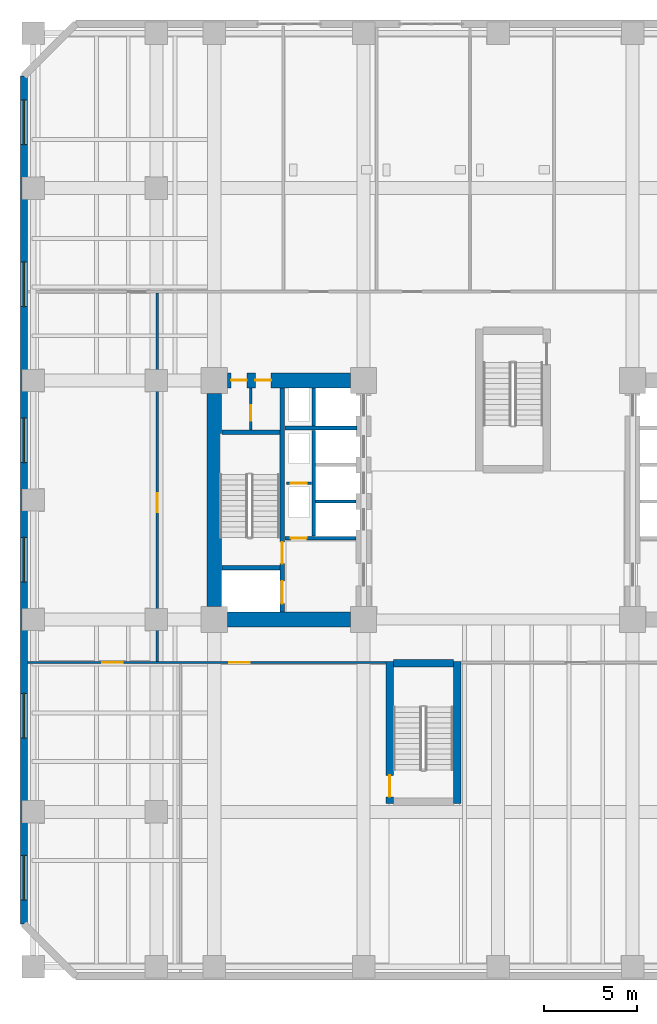
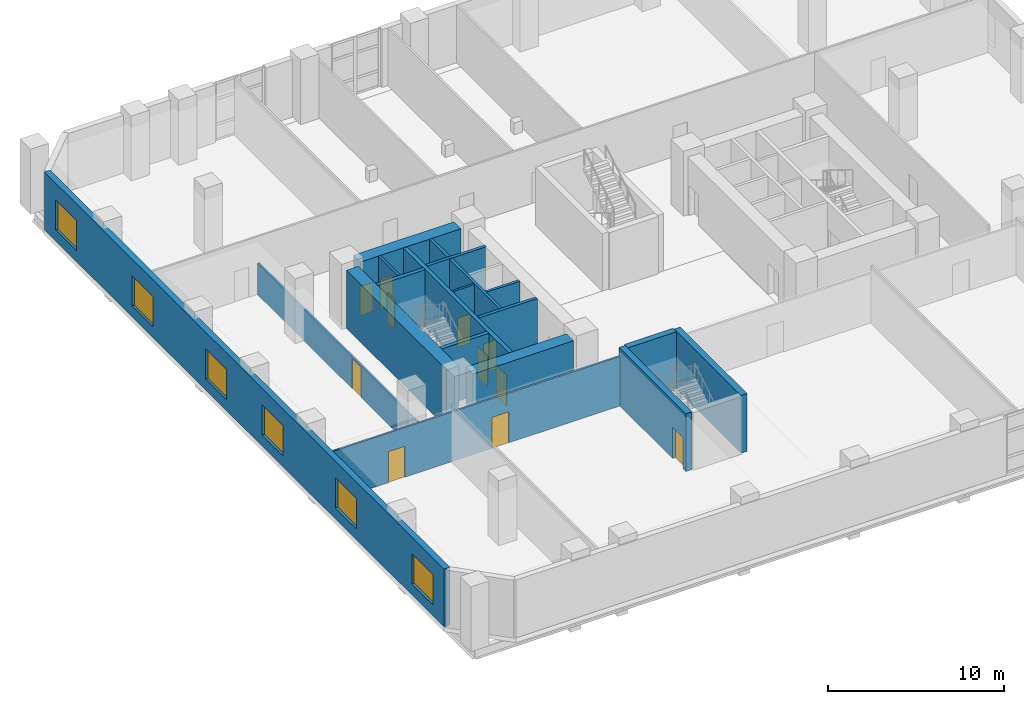
# One storey, part 6 of 15: 19 walls, 11 doors, 6 windows, 17 openings.
"""IFC4 building model written with IfcOpenShell, lengths in metres."""

from ifc_helpers import new_model, si_unit, direction, frame, frame_2d, origin, place, context, subcontext, project, spatial, rectangle, extrude, material, layer, layer_set, type_object, element, fill, save


model = new_model("IFC4")

# Units and contexts
model_context = context("Model", 3, precision=1e-05, world=origin(), true_north=direction((0.0, 1.0)))
body_context = subcontext(model_context, "Body", "Model", "MODEL_VIEW")
ifc_project = project(units=[si_unit("LENGTHUNIT", "METRE"), si_unit("AREAUNIT", "SQUARE_METRE"), si_unit("VOLUMEUNIT", "CUBIC_METRE"), si_unit("PLANEANGLEUNIT", "RADIAN"), si_unit("MASSUNIT", "GRAM", prefix="KILO")], contexts=[model_context])

# Site, building, storey
site_placement = place(None, origin())
site = spatial("IfcSite", under=ifc_project, at=site_placement, CompositionType="ELEMENT")
building_placement = place(site_placement, origin())
building = spatial("IfcBuilding", under=site, at=building_placement, Name="Kranthara Brick Stack", CompositionType="ELEMENT")
storey_placement = place(building_placement, frame((0.0, 0.0, 14.39990234375)))
storey = spatial("IfcBuildingStorey", under=building, at=storey_placement, Name="L03", CompositionType="ELEMENT", Elevation=14.39990234375)

# Wall, openings, windows
ifc_material_1 = material(Name="Kiln-fired clay brick masonry M15", Category="masonry")
ifc_layer_1 = layer(ifc_material_1, 0.3798828125)
ifc_layer_set_1 = layer_set([ifc_layer_1], Name="Kiln-fired clay brick masonry M15")
wall_type_1 = type_object("IfcWallType", Name="WL-BRK-PIER-380", PredefinedType="STANDARD", material=ifc_layer_set_1)
wall_1_placement = place(storey_placement, frame((2.610107421875, 4.5, 0.0), z_axis=(0.0, 0.0, 1.0), x_axis=(0.0, 1.0, 0.0)))
wall_1 = element("IfcWall", 1, at=wall_1_placement, inside=storey, type_object=wall_type_1, Name="L03 Exterior Brick Facade Wall WEST 1", PredefinedType="STANDARD", context=body_context, shape_type="SweptSolid", body=[
    extrude(rectangle(XDim=45.39990234375, YDim=0.3798828125, at=frame_2d((22.699951171875, 0.0))), origin(), (0.0, 0.0, 1.0), 4.0),
])
opening_1_placement = place(wall_1_placement, frame((1.27490234375, 0.0, 0.75)))
opening_1 = element("IfcOpeningElement", 2, at=opening_1_placement, cuts=wall_1, Name="Opening WN11", PredefinedType="OPENING", context=body_context, shape_type="SweptSolid", body=[
    extrude(rectangle(XDim=2.39990234375, YDim=2.10009765625, at=frame_2d((1.199951171875, 1.050048828125))), frame((0.0, 0.199951171875, 0.0), z_axis=(0.0, -1.0, 0.0), x_axis=(1.0, 0.0, 0.0)), (0.0, 0.0, 1.0), 0.39990234375),
])
opening_2_placement = place(wall_1_placement, frame((9.949951171875, 0.0, 0.75)))
opening_2 = element("IfcOpeningElement", 3, at=opening_2_placement, cuts=wall_1, Name="Opening WN11", PredefinedType="OPENING", context=body_context, shape_type="SweptSolid", body=[
    extrude(rectangle(XDim=2.39990234375, YDim=2.10009765625, at=frame_2d((1.199951171875, 1.050048828125))), frame((0.0, 0.199951171875, 0.0), z_axis=(0.0, -1.0, 0.0), x_axis=(1.0, 0.0, 0.0)), (0.0, 0.0, 1.0), 0.39990234375),
])
opening_3_placement = place(wall_1_placement, frame((18.300048828125, 0.0, 0.75)))
opening_3 = element("IfcOpeningElement", 4, at=opening_3_placement, cuts=wall_1, Name="Opening WN11", PredefinedType="OPENING", context=body_context, shape_type="SweptSolid", body=[
    extrude(rectangle(XDim=2.39990234375, YDim=2.10009765625, at=frame_2d((1.199951171875, 1.050048828125))), frame((0.0, 0.199951171875, 0.0), z_axis=(0.0, -1.0, 0.0), x_axis=(1.0, 0.0, 0.0)), (0.0, 0.0, 1.0), 0.39990234375),
])
opening_4_placement = place(wall_1_placement, frame((24.699951171875, 0.0, 0.75)))
opening_4 = element("IfcOpeningElement", 5, at=opening_4_placement, cuts=wall_1, Name="Opening WN11", PredefinedType="OPENING", context=body_context, shape_type="SweptSolid", body=[
    extrude(rectangle(XDim=2.39990234375, YDim=2.10009765625, at=frame_2d((1.199951171875, 1.050048828125))), frame((0.0, 0.199951171875, 0.0), z_axis=(0.0, -1.0, 0.0), x_axis=(1.0, 0.0, 0.0)), (0.0, 0.0, 1.0), 0.39990234375),
])
opening_5_placement = place(wall_1_placement, frame((33.050048828125, 0.0, 0.75)))
opening_5 = element("IfcOpeningElement", 6, at=opening_5_placement, cuts=wall_1, Name="Opening WN11", PredefinedType="OPENING", context=body_context, shape_type="SweptSolid", body=[
    extrude(rectangle(XDim=2.39990234375, YDim=2.10009765625, at=frame_2d((1.199951171875, 1.050048828125))), frame((0.0, 0.199951171875, 0.0), z_axis=(0.0, -1.0, 0.0), x_axis=(1.0, 0.0, 0.0)), (0.0, 0.0, 1.0), 0.39990234375),
])
opening_6_placement = place(wall_1_placement, frame((41.72509765625, 0.0, 0.75)))
opening_6 = element("IfcOpeningElement", 7, at=opening_6_placement, cuts=wall_1, Name="Opening WN11", PredefinedType="OPENING", context=body_context, shape_type="SweptSolid", body=[
    extrude(rectangle(XDim=2.39990234375, YDim=2.10009765625, at=frame_2d((1.199951171875, 1.050048828125))), frame((0.0, 0.199951171875, 0.0), z_axis=(0.0, -1.0, 0.0), x_axis=(1.0, 0.0, 0.0)), (0.0, 0.0, 1.0), 0.39990234375),
])
ifc_material_2 = material(Name="Double-glazed low-E solar control glass", Category="glass")
window_type = type_object("IfcWindowType", Name="WN-POD-2400x2100", PartitioningType="TRIPLE_PANEL_VERTICAL", PredefinedType="WINDOW", material=ifc_material_2)
window_1_placement = place(opening_1_placement, origin())
window_1 = element("IfcWindow", 8, at=window_1_placement, inside=storey, type_object=window_type, Name="L03 WEST Podium Window", OverallHeight=2.10009765625, OverallWidth=2.39990234375, PartitioningType="SINGLE_PANEL", PredefinedType="WINDOW", context=body_context, shape_type="SweptSolid", body=[
    extrude(rectangle(XDim=2.39990234375, YDim=2.10009765625, at=frame_2d((1.199951171875, 1.050048828125))), frame((0.0, 0.030029296875, 0.0), z_axis=(0.0, -1.0, 0.0), x_axis=(1.0, 0.0, 0.0)), (0.0, 0.0, 1.0), 0.06005859375),
])
fill(opening_1, window_1)
window_2_placement = place(opening_2_placement, origin())
window_2 = element("IfcWindow", 9, at=window_2_placement, inside=storey, type_object=window_type, Name="L03 WEST Podium Window", OverallHeight=2.10009765625, OverallWidth=2.39990234375, PartitioningType="SINGLE_PANEL", PredefinedType="WINDOW", context=body_context, shape_type="SweptSolid", body=[
    extrude(rectangle(XDim=2.39990234375, YDim=2.10009765625, at=frame_2d((1.199951171875, 1.050048828125))), frame((0.0, 0.030029296875, 0.0), z_axis=(0.0, -1.0, 0.0), x_axis=(1.0, 0.0, 0.0)), (0.0, 0.0, 1.0), 0.06005859375),
])
fill(opening_2, window_2)
window_3_placement = place(opening_3_placement, origin())
window_3 = element("IfcWindow", 10, at=window_3_placement, inside=storey, type_object=window_type, Name="L03 WEST Podium Window", OverallHeight=2.10009765625, OverallWidth=2.39990234375, PartitioningType="SINGLE_PANEL", PredefinedType="WINDOW", context=body_context, shape_type="SweptSolid", body=[
    extrude(rectangle(XDim=2.39990234375, YDim=2.10009765625, at=frame_2d((1.199951171875, 1.050048828125))), frame((0.0, 0.030029296875, 0.0), z_axis=(0.0, -1.0, 0.0), x_axis=(1.0, 0.0, 0.0)), (0.0, 0.0, 1.0), 0.06005859375),
])
fill(opening_3, window_3)
window_4_placement = place(opening_4_placement, origin())
window_4 = element("IfcWindow", 11, at=window_4_placement, inside=storey, type_object=window_type, Name="L03 WEST Podium Window", OverallHeight=2.10009765625, OverallWidth=2.39990234375, PartitioningType="SINGLE_PANEL", PredefinedType="WINDOW", context=body_context, shape_type="SweptSolid", body=[
    extrude(rectangle(XDim=2.39990234375, YDim=2.10009765625, at=frame_2d((1.199951171875, 1.050048828125))), frame((0.0, 0.030029296875, 0.0), z_axis=(0.0, -1.0, 0.0), x_axis=(1.0, 0.0, 0.0)), (0.0, 0.0, 1.0), 0.06005859375),
])
fill(opening_4, window_4)
window_5_placement = place(opening_5_placement, origin())
window_5 = element("IfcWindow", 12, at=window_5_placement, inside=storey, type_object=window_type, Name="L03 WEST Podium Window", OverallHeight=2.10009765625, OverallWidth=2.39990234375, PartitioningType="SINGLE_PANEL", PredefinedType="WINDOW", context=body_context, shape_type="SweptSolid", body=[
    extrude(rectangle(XDim=2.39990234375, YDim=2.10009765625, at=frame_2d((1.199951171875, 1.050048828125))), frame((0.0, 0.030029296875, 0.0), z_axis=(0.0, -1.0, 0.0), x_axis=(1.0, 0.0, 0.0)), (0.0, 0.0, 1.0), 0.06005859375),
])
fill(opening_5, window_5)
window_6_placement = place(opening_6_placement, origin())
window_6 = element("IfcWindow", 13, at=window_6_placement, inside=storey, type_object=window_type, Name="L03 WEST Podium Window", OverallHeight=2.10009765625, OverallWidth=2.39990234375, PartitioningType="SINGLE_PANEL", PredefinedType="WINDOW", context=body_context, shape_type="SweptSolid", body=[
    extrude(rectangle(XDim=2.39990234375, YDim=2.10009765625, at=frame_2d((1.199951171875, 1.050048828125))), frame((0.0, 0.030029296875, 0.0), z_axis=(0.0, -1.0, 0.0), x_axis=(1.0, 0.0, 0.0)), (0.0, 0.0, 1.0), 0.06005859375),
])
fill(opening_6, window_6)

# Wall, openings, doors
ifc_material_3 = material(Name="Concrete C50/60", Category="concrete")
ifc_layer_2 = layer(ifc_material_3, 0.25)
ifc_layer_set_2 = layer_set([ifc_layer_2], Name="Concrete C50/60")
wall_type_2 = type_object("IfcWallType", Name="WL-CORE-250", PredefinedType="SHEAR", material=ifc_layer_set_2)
wall_2_placement = place(storey_placement, frame((16.43505859375, 21.2099609375, 0.0), z_axis=(0.0, 0.0, 1.0), x_axis=(0.0, 1.0, 0.0)))
wall_2 = element("IfcWall", 14, at=wall_2_placement, inside=storey, type_object=wall_type_2, Name="L03 West Core Stair Bearing Spine Wall", PredefinedType="SHEAR", context=body_context, shape_type="SweptSolid", body=[
    extrude(rectangle(XDim=11.97998046875, YDim=0.25, at=frame_2d((5.989990234375, 0.0))), origin(), (0.0, 0.0, 1.0), 4.0),
])
opening_7_placement = place(wall_2_placement, frame((0.43994140625, 0.0, 0.0)))
opening_7 = element("IfcOpeningElement", 15, at=opening_7_placement, cuts=wall_2, Name="Opening LD01", PredefinedType="OPENING", context=body_context, shape_type="SweptSolid", body=[
    extrude(rectangle(XDim=1.199951171875, YDim=2.14990234375, at=frame_2d((0.60009765625, 1.074951171875))), frame((0.0, 0.135009765625, 0.0), z_axis=(0.0, -1.0, 0.0), x_axis=(1.0, 0.0, 0.0)), (0.0, 0.0, 1.0), 0.27001953125),
])
opening_8_placement = place(wall_2_placement, frame((2.590087890625, 0.0, 0.0)))
opening_8 = element("IfcOpeningElement", 16, at=opening_8_placement, cuts=wall_2, Name="Opening D05", PredefinedType="OPENING", context=body_context, shape_type="SweptSolid", body=[
    extrude(rectangle(XDim=1.14990234375, YDim=2.14990234375, at=frame_2d((0.574951171875, 1.074951171875))), frame((0.0, 0.135009765625, 0.0), z_axis=(0.0, -1.0, 0.0), x_axis=(1.0, 0.0, 0.0)), (0.0, 0.0, 1.0), 0.27001953125),
])
ifc_material_4 = material(Name="Stainless steel sliding landing door", Category="steel")
door_type_1 = type_object("IfcDoorType", Name="DR-LD-FF1200", OperationType="DOUBLE_DOOR_SLIDING", PredefinedType="DOOR", material=ifc_material_4)
door_1_placement = place(opening_7_placement, origin())
door_1 = element("IfcDoor", 17, at=door_1_placement, inside=storey, type_object=door_type_1, Name="L03 Firefighting Lift FF-01 Landing Door", OperationType="DOUBLE_DOOR_SLIDING", OverallHeight=2.14990234375, OverallWidth=1.199951171875, PredefinedType="DOOR", context=body_context, shape_type="SweptSolid", body=[
    extrude(rectangle(XDim=1.199951171875, YDim=2.14990234375, at=frame_2d((0.60009765625, 1.074951171875))), frame((0.0, 0.02490234375, 0.0), z_axis=(0.0, -1.0, 0.0), x_axis=(1.0, 0.0, 0.0)), (0.0, 0.0, 1.0), 0.050048828125),
])
fill(opening_7, door_1)
ifc_material_5 = material(Name="Solid-core hardwood timber leaf in steel frame", Category="steel")
door_type_2 = type_object("IfcDoorType", Name="DR-ST-1150", OperationType="NOTDEFINED", PredefinedType="DOOR", material=ifc_material_5)
door_2_placement = place(opening_8_placement, origin())
door_2 = element("IfcDoor", 18, at=door_2_placement, inside=storey, type_object=door_type_2, Name="L03 Exit Stair ST01 Door", OperationType="SINGLE_SWING_RIGHT", OverallHeight=2.14990234375, OverallWidth=1.14990234375, PredefinedType="DOOR", context=body_context, shape_type="SweptSolid", body=[
    extrude(rectangle(XDim=1.14990234375, YDim=2.14990234375, at=frame_2d((0.574951171875, 1.074951171875))), frame((0.0, 0.02490234375, 0.0), z_axis=(0.0, -1.0, 0.0), x_axis=(1.0, 0.0, 0.0)), (0.0, 0.0, 1.0), 0.050048828125),
])
fill(opening_8, door_2)

# Walls
for number, where, z_axis, x_axis, name in (
    (19, (13.2099609375, 23.570068359375, 0.0), (0.0, 0.0, 1.0), (1.0, 0.0, 0.0), "L03 West Stairwell Bearing Wall WFF"),
    (20, (13.2099609375, 30.830078125, 0.0), (0.0, 0.0, 1.0), (1.0, 0.0, 0.0), "L03 West Stairwell Bearing Wall WST"),
):
    element("IfcWall", number, at=place(storey_placement, frame(where, z_axis=z_axis, x_axis=x_axis)), inside=storey, type_object=wall_type_2, Name=name, PredefinedType="SHEAR", context=body_context, shape_type="SweptSolid", body=[
        extrude(rectangle(XDim=3.10009765625, YDim=0.25, at=frame_2d((1.550048828125, 0.0))), origin(), (0.0, 0.0, 1.0), 4.0),
    ])

# Wall, opening, door
ifc_material_6 = material(Name="Concrete C50/60", Category="concrete")
ifc_layer_3 = layer(ifc_material_6, 0.39990234375)
ifc_layer_set_3 = layer_set([ifc_layer_3], Name="Concrete C50/60")
wall_type_3 = type_object("IfcWallType", Name="WL-CORE-400", PredefinedType="SHEAR", material=ifc_layer_set_3)
wall_3_placement = place(storey_placement, frame((22.18994140625, 10.949951171875, 0.0), z_axis=(0.0, 0.0, 1.0), x_axis=(0.0, 1.0, 0.0)))
wall_3 = element("IfcWall", 21, at=wall_3_placement, inside=storey, type_object=wall_type_3, Name="L03 Stair ST03 Bearing Wall W", PredefinedType="SHEAR", context=body_context, shape_type="SweptSolid", body=[
    extrude(rectangle(XDim=7.60009765625, YDim=0.39990234375, at=frame_2d((3.800048828125, 0.0))), origin(), (0.0, 0.0, 1.0), 4.0),
])
opening_9_placement = place(wall_3_placement, frame((0.35009765625, 0.0, 0.0)))
opening_9 = element("IfcOpeningElement", 22, at=opening_9_placement, cuts=wall_3, Name="Opening D05", PredefinedType="OPENING", context=body_context, shape_type="SweptSolid", body=[
    extrude(rectangle(XDim=1.14990234375, YDim=2.14990234375, at=frame_2d((0.574951171875, 1.074951171875))), frame((0.0, 0.2099609375, 0.0), z_axis=(0.0, -1.0, 0.0), x_axis=(1.0, 0.0, 0.0)), (0.0, 0.0, 1.0), 0.419921875),
])
door_3_placement = place(opening_9_placement, origin())
door_3 = element("IfcDoor", 23, at=door_3_placement, inside=storey, type_object=door_type_2, Name="L03 Stair ST03 Door", OperationType="SINGLE_SWING_LEFT", OverallHeight=2.14990234375, OverallWidth=1.14990234375, PredefinedType="DOOR", context=body_context, shape_type="SweptSolid", body=[
    extrude(rectangle(XDim=1.14990234375, YDim=2.14990234375, at=frame_2d((0.574951171875, 1.074951171875))), frame((0.0, 0.02490234375, 0.0), z_axis=(0.0, -1.0, 0.0), x_axis=(1.0, 0.0, 0.0)), (0.0, 0.0, 1.0), 0.050048828125),
])
fill(opening_9, door_3)

# Walls
wall_4_placement = place(storey_placement, frame((25.81005859375, 10.949951171875, 0.0), z_axis=(0.0, 0.0, 1.0), x_axis=(0.0, 1.0, 0.0)))
element("IfcWall", 24, at=wall_4_placement, inside=storey, type_object=wall_type_3, Name="L03 Stair ST03 Bearing Wall E", PredefinedType="SHEAR", context=body_context, shape_type="SweptSolid", body=[
    extrude(rectangle(XDim=7.60009765625, YDim=0.39990234375, at=frame_2d((3.800048828125, 0.0))), origin(), (0.0, 0.0, 1.0), 4.0),
])
wall_5_placement = place(storey_placement, frame((22.39990234375, 18.449951171875, 0.0), z_axis=(0.0, 0.0, 1.0), x_axis=(1.0, 0.0, 0.0)))
element("IfcWall", 25, at=wall_5_placement, inside=storey, type_object=wall_type_3, Name="L03 Stair ST03 Bearing Wall N", PredefinedType="SHEAR", context=body_context, shape_type="SweptSolid", body=[
    extrude(rectangle(XDim=3.2001953125, YDim=0.39990234375, at=frame_2d((1.60009765625, 0.0))), origin(), (0.0, 0.0, 1.0), 4.0),
])
ifc_material_7 = material(Name="Concrete C70/85", Category="concrete")
ifc_layer_4 = layer(ifc_material_7, 0.800048828125)
ifc_layer_set_4 = layer_set([ifc_layer_4], Name="Concrete C70/85")
wall_type_4 = type_object("IfcWallType", Name="WL-CORE-800", PredefinedType="SHEAR", material=ifc_layer_set_4)
wall_6_placement = place(storey_placement, frame((12.800048828125, 21.5048828125, 0.0), z_axis=(0.0, 0.0, 1.0), x_axis=(0.0, 1.0, 0.0)))
element("IfcWall", 26, at=wall_6_placement, inside=storey, type_object=wall_type_4, Name="L03 West Core Shear Wall West", PredefinedType="SHEAR", context=body_context, shape_type="SweptSolid", body=[
    extrude(rectangle(XDim=11.39013671875, YDim=0.800048828125, at=frame_2d((5.695068359375, 0.0))), origin(), (0.0, 0.0, 1.0), 4.0),
])
wall_7_placement = place(storey_placement, frame((13.5048828125, 20.800048828125, 0.0), z_axis=(0.0, 0.0, 1.0), x_axis=(1.0, 0.0, 0.0)))
element("IfcWall", 27, at=wall_7_placement, inside=storey, type_object=wall_type_4, Name="L03 West Core Shear Wall South", PredefinedType="SHEAR", context=body_context, shape_type="SweptSolid", body=[
    extrude(rectangle(XDim=6.590087890625, YDim=0.800048828125, at=frame_2d((3.294921875, 0.0))), origin(), (0.0, 0.0, 1.0), 4.0),
])

# Wall, openings, doors
wall_8_placement = place(storey_placement, frame((13.5048828125, 33.60009765625, 0.0), z_axis=(0.0, 0.0, 1.0), x_axis=(1.0, 0.0, 0.0)))
wall_8 = element("IfcWall", 28, at=wall_8_placement, inside=storey, type_object=wall_type_4, Name="L03 West Core Shear Wall North", PredefinedType="SHEAR", context=body_context, shape_type="SweptSolid", body=[
    extrude(rectangle(XDim=6.590087890625, YDim=0.800048828125, at=frame_2d((3.294921875, 0.0))), origin(), (0.0, 0.0, 1.0), 4.0),
])
opening_10_placement = place(wall_8_placement, frame((0.195068359375, 0.0, 0.0)))
opening_10 = element("IfcOpeningElement", 29, at=opening_10_placement, cuts=wall_8, Name="Opening D10", PredefinedType="OPENING", context=body_context, shape_type="SweptSolid", body=[
    extrude(rectangle(XDim=0.85009765625, YDim=2.02001953125, at=frame_2d((0.425048828125, 1.010009765625))), frame((0.0, 0.409912109375, 0.0), z_axis=(0.0, -1.0, 0.0), x_axis=(1.0, 0.0, 0.0)), (0.0, 0.0, 1.0), 0.820068359375),
])
opening_11_placement = place(wall_8_placement, frame((1.4951171875, 0.0, 0.0)))
opening_11 = element("IfcOpeningElement", 30, at=opening_11_placement, cuts=wall_8, Name="Opening D10", PredefinedType="OPENING", context=body_context, shape_type="SweptSolid", body=[
    extrude(rectangle(XDim=0.85009765625, YDim=2.02001953125, at=frame_2d((0.425048828125, 1.010009765625))), frame((0.0, 0.409912109375, 0.0), z_axis=(0.0, -1.0, 0.0), x_axis=(1.0, 0.0, 0.0)), (0.0, 0.0, 1.0), 0.820068359375),
])
ifc_material_8 = material(Name="Solid-core hardwood timber leaf in steel frame", Category="steel")
door_type_3 = type_object("IfcDoorType", Name="DR-RSR-850", OperationType="NOTDEFINED", PredefinedType="DOOR", material=ifc_material_8)
door_4_placement = place(opening_10_placement, origin())
door_4 = element("IfcDoor", 31, at=door_4_placement, inside=storey, type_object=door_type_3, Name="L03 West Core Service Door 1", OperationType="SINGLE_SWING_LEFT", OverallHeight=2.02001953125, OverallWidth=0.85009765625, PredefinedType="DOOR", context=body_context, shape_type="SweptSolid", body=[
    extrude(rectangle(XDim=0.85009765625, YDim=2.02001953125, at=frame_2d((0.425048828125, 1.010009765625))), frame((0.0, 0.02490234375, 0.0), z_axis=(0.0, -1.0, 0.0), x_axis=(1.0, 0.0, 0.0)), (0.0, 0.0, 1.0), 0.050048828125),
])
fill(opening_10, door_4)
door_5_placement = place(opening_11_placement, origin())
door_5 = element("IfcDoor", 32, at=door_5_placement, inside=storey, type_object=door_type_3, Name="L03 West Core Service Door 2", OperationType="SINGLE_SWING_RIGHT", OverallHeight=2.02001953125, OverallWidth=0.85009765625, PredefinedType="DOOR", context=body_context, shape_type="SweptSolid", body=[
    extrude(rectangle(XDim=0.85009765625, YDim=2.02001953125, at=frame_2d((0.425048828125, 1.010009765625))), frame((0.0, 0.02490234375, 0.0), z_axis=(0.0, -1.0, 0.0), x_axis=(1.0, 0.0, 0.0)), (0.0, 0.0, 1.0), 0.050048828125),
])
fill(opening_11, door_5)

ifc_material_9 = material(Name="Acoustic gypsum plasterboard partition", Category="other")
ifc_layer_5 = layer(ifc_material_9, 0.1201171875)
ifc_layer_set_5 = layer_set([ifc_layer_5], Name="Acoustic gypsum plasterboard partition")
wall_type_5 = type_object("IfcWallType", Name="WL-PART-120", PredefinedType="PARTITIONING", material=ifc_layer_set_5)
wall_9_placement = place(storey_placement, frame((2.804931640625, 18.5, 0.0), z_axis=(0.0, 0.0, 1.0), x_axis=(1.0, 0.0, 0.0)))
wall_9 = element("IfcWall", 33, at=wall_9_placement, inside=storey, type_object=wall_type_5, Name="L03 Interior Partition 005", PredefinedType="PARTITIONING", context=body_context, shape_type="SweptSolid", body=[
    extrude(rectangle(XDim=19.18017578125, YDim=0.1201171875, at=frame_2d((9.590087890625, 0.0))), origin(), (0.0, 0.0, 1.0), 3.43505859375),
])
opening_12_placement = place(wall_9_placement, frame((4.0, 0.0, 0.0)))
opening_12 = element("IfcOpeningElement", 34, at=opening_12_placement, cuts=wall_9, Name="Opening D11", PredefinedType="OPENING", context=body_context, shape_type="SweptSolid", body=[
    extrude(rectangle(XDim=1.10009765625, YDim=2.14990234375, at=frame_2d((0.550048828125, 1.074951171875))), frame((0.0, 0.070068359375, 0.0), z_axis=(0.0, -1.0, 0.0), x_axis=(1.0, 0.0, 0.0)), (0.0, 0.0, 1.0), 0.14013671875),
])
opening_13_placement = place(wall_9_placement, frame((10.800048828125, 0.0, 0.0)))
opening_13 = element("IfcOpeningElement", 35, at=opening_13_placement, cuts=wall_9, Name="Opening D11", PredefinedType="OPENING", context=body_context, shape_type="SweptSolid", body=[
    extrude(rectangle(XDim=1.10009765625, YDim=2.14990234375, at=frame_2d((0.550048828125, 1.074951171875))), frame((0.0, 0.070068359375, 0.0), z_axis=(0.0, -1.0, 0.0), x_axis=(1.0, 0.0, 0.0)), (0.0, 0.0, 1.0), 0.14013671875),
])
ifc_material_10 = material(Name="Solid-core hardwood timber leaf in steel frame", Category="steel")
door_type_4 = type_object("IfcDoorType", Name="DR-INT-1100", OperationType="NOTDEFINED", PredefinedType="DOOR", material=ifc_material_10)
door_6_placement = place(opening_12_placement, origin())
door_6 = element("IfcDoor", 36, at=door_6_placement, inside=storey, type_object=door_type_4, Name="L03 Gallery West 05", OperationType="SINGLE_SWING_LEFT", OverallHeight=2.14990234375, OverallWidth=1.10009765625, PredefinedType="DOOR", context=body_context, shape_type="SweptSolid", body=[
    extrude(rectangle(XDim=1.10009765625, YDim=2.14990234375, at=frame_2d((0.550048828125, 1.074951171875))), frame((0.0, 0.02490234375, 0.0), z_axis=(0.0, -1.0, 0.0), x_axis=(1.0, 0.0, 0.0)), (0.0, 0.0, 1.0), 0.050048828125),
])
fill(opening_12, door_6)
door_7_placement = place(opening_13_placement, origin())
door_7 = element("IfcDoor", 37, at=door_7_placement, inside=storey, type_object=door_type_4, Name="L03 Conference Suite 06", OperationType="SINGLE_SWING_RIGHT", OverallHeight=2.14990234375, OverallWidth=1.10009765625, PredefinedType="DOOR", context=body_context, shape_type="SweptSolid", body=[
    extrude(rectangle(XDim=1.10009765625, YDim=2.14990234375, at=frame_2d((0.550048828125, 1.074951171875))), frame((0.0, 0.02490234375, 0.0), z_axis=(0.0, -1.0, 0.0), x_axis=(1.0, 0.0, 0.0)), (0.0, 0.0, 1.0), 0.050048828125),
])
fill(opening_13, door_7)

# Wall, opening, door
wall_10_placement = place(storey_placement, frame((9.75, 18.56494140625, 0.0), z_axis=(0.0, 0.0, 1.0), x_axis=(0.0, 1.0, 0.0)))
wall_10 = element("IfcWall", 38, at=wall_10_placement, inside=storey, type_object=wall_type_5, Name="L03 Interior Partition 016", PredefinedType="PARTITIONING", context=body_context, shape_type="SweptSolid", body=[
    extrude(rectangle(XDim=19.719970703125, YDim=0.1201171875, at=frame_2d((9.85986328125, 0.0))), origin(), (0.0, 0.0, 1.0), 2.18505859375),
])
opening_14_placement = place(wall_10_placement, frame((7.985107421875, 0.0, 0.0)))
opening_14 = element("IfcOpeningElement", 39, at=opening_14_placement, cuts=wall_10, Name="Opening D13", PredefinedType="OPENING", context=body_context, shape_type="SweptSolid", body=[
    extrude(rectangle(XDim=1.0, YDim=2.10009765625, at=frame_2d((0.5, 1.050048828125))), frame((0.0, 0.070068359375, 0.0), z_axis=(0.0, -1.0, 0.0), x_axis=(1.0, 0.0, 0.0)), (0.0, 0.0, 1.0), 0.14013671875),
])
ifc_material_11 = material(Name="Solid-core hardwood timber leaf in steel frame", Category="steel")
door_type_5 = type_object("IfcDoorType", Name="DR-INT-1000", OperationType="NOTDEFINED", PredefinedType="DOOR", material=ifc_material_11)
door_8_placement = place(opening_14_placement, origin())
door_8 = element("IfcDoor", 40, at=door_8_placement, inside=storey, type_object=door_type_5, Name="L03 West Gallery Office 16", OperationType="SINGLE_SWING_RIGHT", OverallHeight=2.10009765625, OverallWidth=1.0, PredefinedType="DOOR", context=body_context, shape_type="SweptSolid", body=[
    extrude(rectangle(XDim=1.0, YDim=2.10009765625, at=frame_2d((0.5, 1.050048828125))), frame((0.0, 0.02490234375, 0.0), z_axis=(0.0, -1.0, 0.0), x_axis=(1.0, 0.0, 0.0)), (0.0, 0.0, 1.0), 0.050048828125),
])
fill(opening_14, door_8)

ifc_material_12 = material(Name="Fire-rated gypsum board partition", Category="other")
ifc_layer_6 = layer(ifc_material_12, 0.14990234375)
ifc_layer_set_6 = layer_set([ifc_layer_6], Name="Fire-rated gypsum board partition")
wall_type_6 = type_object("IfcWallType", Name="WL-PART-150", PredefinedType="PARTITIONING", material=ifc_layer_set_6)
wall_11_placement = place(storey_placement, frame((14.75, 30.9599609375, 0.0), z_axis=(0.0, 0.0, 1.0), x_axis=(0.0, 1.0, 0.0)))
wall_11 = element("IfcWall", 41, at=wall_11_placement, inside=storey, type_object=wall_type_6, Name="L03 Interior Partition 001", PredefinedType="PARTITIONING", context=body_context, shape_type="SweptSolid", body=[
    extrude(rectangle(XDim=2.235107421875, YDim=0.14990234375, at=frame_2d((1.11767578125, 0.0))), origin(), (0.0, 0.0, 1.0), 4.0),
])
opening_15_placement = place(wall_11_placement, frame((0.469970703125, 0.0, 0.0)))
opening_15 = element("IfcOpeningElement", 42, at=opening_15_placement, cuts=wall_11, Name="Opening D10", PredefinedType="OPENING", context=body_context, shape_type="SweptSolid", body=[
    extrude(rectangle(XDim=0.85009765625, YDim=2.02001953125, at=frame_2d((0.425048828125, 1.010009765625))), frame((0.0, 0.0849609375, 0.0), z_axis=(0.0, -1.0, 0.0), x_axis=(1.0, 0.0, 0.0)), (0.0, 0.0, 1.0), 0.169921875),
])
door_9_placement = place(opening_15_placement, origin())
door_9 = element("IfcDoor", 43, at=door_9_placement, inside=storey, type_object=door_type_3, Name="L03 Service Interconnect 01", OperationType="SINGLE_SWING_LEFT", OverallHeight=2.02001953125, OverallWidth=0.85009765625, PredefinedType="DOOR", context=body_context, shape_type="SweptSolid", body=[
    extrude(rectangle(XDim=0.85009765625, YDim=2.02001953125, at=frame_2d((0.425048828125, 1.010009765625))), frame((0.0, 0.02490234375, 0.0), z_axis=(0.0, -1.0, 0.0), x_axis=(1.0, 0.0, 0.0)), (0.0, 0.0, 1.0), 0.050048828125),
])
fill(opening_15, door_9)

wall_12_placement = place(storey_placement, frame((16.679931640625, 28.10009765625, 0.0), z_axis=(0.0, 0.0, 1.0), x_axis=(1.0, 0.0, 0.0)))
wall_12 = element("IfcWall", 44, at=wall_12_placement, inside=storey, type_object=wall_type_6, Name="L03 Interior Partition 004", PredefinedType="PARTITIONING", context=body_context, shape_type="SweptSolid", body=[
    extrude(rectangle(XDim=1.320068359375, YDim=0.14990234375, at=frame_2d((0.66015625, 0.0))), origin(), (0.0, 0.0, 1.0), 4.0),
])
opening_16_placement = place(wall_12_placement, frame((0.219970703125, 0.0, 0.0)))
opening_16 = element("IfcOpeningElement", 45, at=opening_16_placement, cuts=wall_12, Name="Opening D10", PredefinedType="OPENING", context=body_context, shape_type="SweptSolid", body=[
    extrude(rectangle(XDim=0.85009765625, YDim=2.02001953125, at=frame_2d((0.425048828125, 1.010009765625))), frame((0.0, 0.0849609375, 0.0), z_axis=(0.0, -1.0, 0.0), x_axis=(1.0, 0.0, 0.0)), (0.0, 0.0, 1.0), 0.169921875),
])
door_10_placement = place(opening_16_placement, origin())
door_10 = element("IfcDoor", 46, at=door_10_placement, inside=storey, type_object=door_type_3, Name="L03 Riser Split Door 04", OperationType="SINGLE_SWING_RIGHT", OverallHeight=2.02001953125, OverallWidth=0.85009765625, PredefinedType="DOOR", context=body_context, shape_type="SweptSolid", body=[
    extrude(rectangle(XDim=0.85009765625, YDim=2.02001953125, at=frame_2d((0.425048828125, 1.010009765625))), frame((0.0, 0.02490234375, 0.0), z_axis=(0.0, -1.0, 0.0), x_axis=(1.0, 0.0, 0.0)), (0.0, 0.0, 1.0), 0.050048828125),
])
fill(opening_16, door_10)

# Walls
ifc_material_13 = material(Name="Gypsum plasterboard on acoustic twin stud", Category="other")
ifc_layer_7 = layer(ifc_material_13, 0.179931640625)
ifc_layer_set_7 = layer_set([ifc_layer_7], Name="Gypsum plasterboard on acoustic twin stud")
wall_type_7 = type_object("IfcWallType", Name="WL-PART-180", PredefinedType="PARTITIONING", material=ifc_layer_set_7)
wall_13_placement = place(storey_placement, frame((18.1201171875, 25.27001953125, 0.0), z_axis=(0.0, 0.0, 1.0), x_axis=(0.0, 1.0, 0.0)))
element("IfcWall", 47, at=wall_13_placement, inside=storey, type_object=wall_type_7, Name="L03 West Hoistway Wall WBK", PredefinedType="PARTITIONING", context=body_context, shape_type="SweptSolid", body=[
    extrude(rectangle(XDim=5.659912109375, YDim=0.179931640625, at=frame_2d((2.830078125, 0.0))), origin(), (0.0, 0.0, 1.0), 4.0),
])
wall_14_placement = place(storey_placement, frame((18.1201171875, 31.169921875, 0.0), z_axis=(0.0, 0.0, 1.0), x_axis=(0.0, 1.0, 0.0)))
element("IfcWall", 48, at=wall_14_placement, inside=storey, type_object=wall_type_7, Name="L03 West Hoistway Wall WBK7", PredefinedType="PARTITIONING", context=body_context, shape_type="SweptSolid", body=[
    extrude(rectangle(XDim=2.02001953125, YDim=0.179931640625, at=frame_2d((1.010009765625, 0.0))), origin(), (0.0, 0.0, 1.0), 4.0),
])
wall_15_placement = place(storey_placement, frame((18.219970703125, 27.1201171875, 0.0), z_axis=(0.0, 0.0, 1.0), x_axis=(1.0, 0.0, 0.0)))
element("IfcWall", 49, at=wall_15_placement, inside=storey, type_object=wall_type_7, Name="L03 West Hoistway Wall WH1", PredefinedType="PARTITIONING", context=body_context, shape_type="SweptSolid", body=[
    extrude(rectangle(XDim=2.169921875, YDim=0.179931640625, at=frame_2d((1.0849609375, 0.0))), origin(), (0.0, 0.0, 1.0), 4.0),
])

# Wall, opening, door
ifc_material_14 = material(Name="Concrete C40/50", Category="concrete")
ifc_layer_8 = layer(ifc_material_14, 0.199951171875)
ifc_layer_set_8 = layer_set([ifc_layer_8], Name="Concrete C40/50")
wall_type_8 = type_object("IfcWallType", Name="WL-PART-200", PredefinedType="SOLIDWALL", material=ifc_layer_set_8)
wall_16_placement = place(storey_placement, frame((16.60009765625, 25.14990234375, 0.0), z_axis=(0.0, 0.0, 1.0), x_axis=(1.0, 0.0, 0.0)))
wall_16 = element("IfcWall", 50, at=wall_16_placement, inside=storey, type_object=wall_type_8, Name="L03 West Core Cross Wall WFL", PredefinedType="SOLIDWALL", context=body_context, shape_type="SweptSolid", body=[
    extrude(rectangle(XDim=3.789794921875, YDim=0.199951171875, at=frame_2d((1.89501953125, 0.0))), origin(), (0.0, 0.0, 1.0), 4.0),
])
opening_17_placement = place(wall_16_placement, frame((0.300048828125, 0.0, 0.0)))
opening_17 = element("IfcOpeningElement", 51, at=opening_17_placement, cuts=wall_16, Name="Opening D10", PredefinedType="OPENING", context=body_context, shape_type="SweptSolid", body=[
    extrude(rectangle(XDim=0.85009765625, YDim=2.02001953125, at=frame_2d((0.425048828125, 1.010009765625))), frame((0.0, 0.10986328125, 0.0), z_axis=(0.0, -1.0, 0.0), x_axis=(1.0, 0.0, 0.0)), (0.0, 0.0, 1.0), 0.219970703125),
])
door_11_placement = place(opening_17_placement, origin())
door_11 = element("IfcDoor", 52, at=door_11_placement, inside=storey, type_object=door_type_3, Name="L03 Mechanical Riser Access Door", OperationType="SINGLE_SWING_LEFT", OverallHeight=2.02001953125, OverallWidth=0.85009765625, PredefinedType="DOOR", context=body_context, shape_type="SweptSolid", body=[
    extrude(rectangle(XDim=0.85009765625, YDim=2.02001953125, at=frame_2d((0.425048828125, 1.010009765625))), frame((0.0, 0.02490234375, 0.0), z_axis=(0.0, -1.0, 0.0), x_axis=(1.0, 0.0, 0.0)), (0.0, 0.0, 1.0), 0.050048828125),
])
fill(opening_17, door_11)

# Wall
wall_17_placement = place(storey_placement, frame((16.60009765625, 31.050048828125, 0.0), z_axis=(0.0, 0.0, 1.0), x_axis=(1.0, 0.0, 0.0)))
element("IfcWall", 53, at=wall_17_placement, inside=storey, type_object=wall_type_8, Name="L03 West Core Cross Wall WH4", PredefinedType="SOLIDWALL", context=body_context, shape_type="SweptSolid", body=[
    extrude(rectangle(XDim=3.849853515625, YDim=0.199951171875, at=frame_2d((1.9248046875, 0.0))), origin(), (0.0, 0.0, 1.0), 4.0),
])

save(model, "model.ifc")
